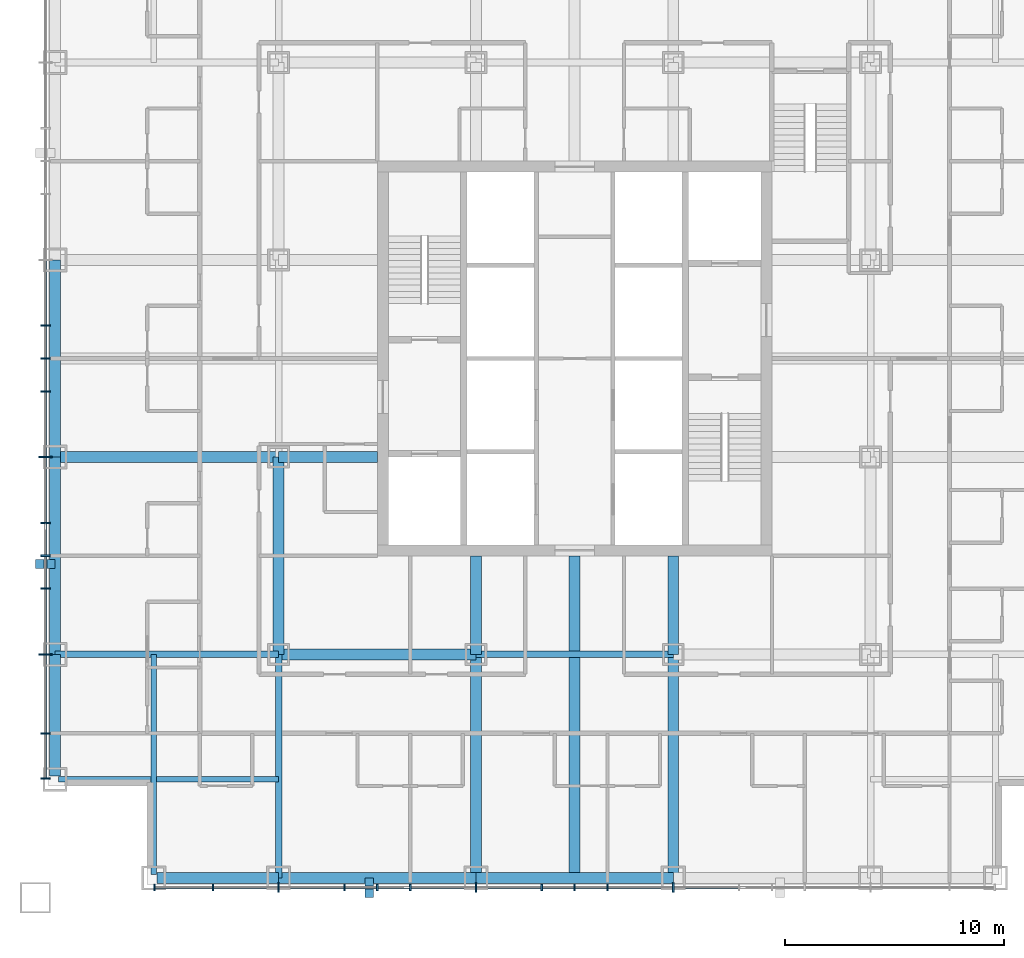
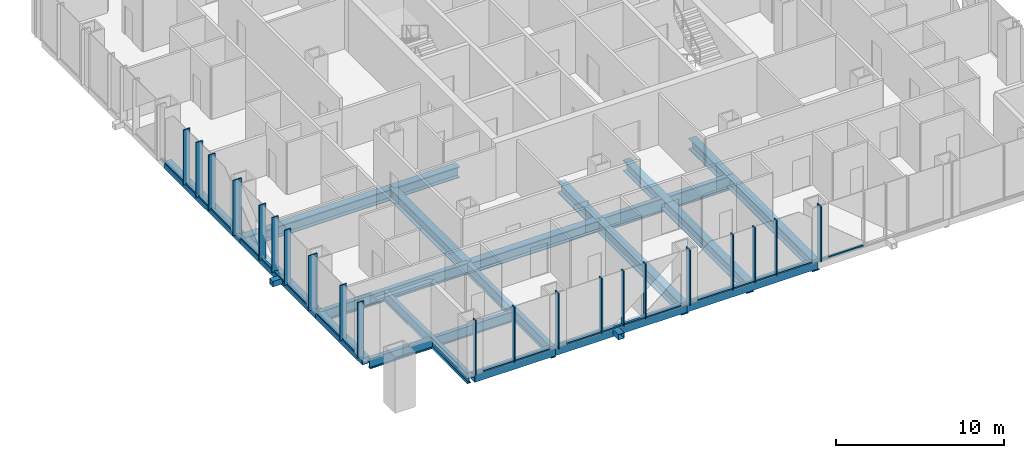
# One storey, part 2 of 18: 44 members, 20 beams, 2 elements without a shape of their own.
"""IFC4 building model written with IfcOpenShell, lengths in metres."""

from ifc_helpers import new_model, si_unit, direction, frame, origin, origin_2d, place, context, subcontext, project, spatial, rectangle, hollow_rectangle, i_section, extrude, material, layer, layer_set, material_profile, profile_set, type_object, element, aggregate, save


model = new_model("IFC4")

# Units and contexts
model_context = context("Model", 3, precision=1e-05, world=origin(), true_north=direction((0.0, 1.0)))
body_context = subcontext(model_context, "Body", "Model", "MODEL_VIEW")
ifc_project = project(units=[si_unit("LENGTHUNIT", "METRE"), si_unit("AREAUNIT", "SQUARE_METRE"), si_unit("VOLUMEUNIT", "CUBIC_METRE"), si_unit("PLANEANGLEUNIT", "RADIAN"), si_unit("MASSUNIT", "GRAM", prefix="KILO")], contexts=[model_context])

# Site, building, storey
site_placement = place(None, origin())
site = spatial("IfcSite", under=ifc_project, at=site_placement, CompositionType="ELEMENT")
building_placement = place(site_placement, origin())
building = spatial("IfcBuilding", under=site, at=building_placement, Name="Malebo Sky Hospital", CompositionType="ELEMENT")
storey_placement = place(building_placement, frame((0.0, 0.0, 112.0)))
storey = spatial("IfcBuildingStorey", under=building, at=storey_placement, Name="L26", CompositionType="ELEMENT", Elevation=112.0)

# Curtain wall, members
ifc_material_1 = material(Name="Anodised aluminium, natural silver", Category="aluminium")
ifc_layer_1 = layer(ifc_material_1, 0.25)
ifc_layer_set_1 = layer_set([ifc_layer_1], Name="WARD CURTAIN WALL EAST AND WEST")
curtain_wall_type_1 = type_object("IfcCurtainWallType", Name="WARD CURTAIN WALL EAST AND WEST", PredefinedType="NOTDEFINED", material=ifc_layer_set_1)
curtain_wall_1_placement = place(storey_placement, origin())
curtain_wall_1 = element("IfcCurtainWall", 1, at=curtain_wall_1_placement, inside=storey, type_object=curtain_wall_type_1, Name="EW curtain wall W", PredefinedType="NOTDEFINED")
ifc_material_profile_1 = material_profile(ifc_material_1, rectangle(XDim=0.14990234375, YDim=0.10009765625, at=origin_2d()), Name="ALUMINIUM TRANSOM 150x100")
ifc_profile_set_1 = profile_set([ifc_material_profile_1], Name="Anodised aluminium, natural silver")
member_type_1 = type_object("IfcMemberType", Name="ALUMINIUM TRANSOM 150x100", PredefinedType="USERDEFINED", material=ifc_profile_set_1)
member_1_placement = place(storey_placement, frame((35.864990234375, 42.875, 0.050048828125), z_axis=(0.0, 1.0, 0.0), x_axis=(-1.0, 0.0, 0.0)))
member_1 = element("IfcMember", 2, at=member_1_placement, type_object=member_type_1, Name="Transom 1", ObjectType="TRANSOM", PredefinedType="USERDEFINED", context=body_context, shape_type="SweptSolid", body=[
    extrude(rectangle(XDim=0.14990234375, YDim=0.10009765625, at=origin_2d()), origin(), (0.0, 0.0, 1.0), 1.987548828125),
])
member_2_placement = place(storey_placement, frame((35.864990234375, 44.9375, 0.050048828125), z_axis=(0.0, 1.0, 0.0), x_axis=(-1.0, 0.0, 0.0)))
member_2 = element("IfcMember", 3, at=member_2_placement, type_object=member_type_1, Name="Transom 2", ObjectType="TRANSOM", PredefinedType="USERDEFINED", context=body_context, shape_type="SweptSolid", body=[
    extrude(rectangle(XDim=0.14990234375, YDim=0.10009765625, at=origin_2d()), origin(), (0.0, 0.0, 1.0), 3.52490234375),
])
member_3_placement = place(storey_placement, frame((35.864990234375, 48.53759765625, 0.050048828125), z_axis=(0.0, 1.0, 0.0), x_axis=(-1.0, 0.0, 0.0)))
member_3 = element("IfcMember", 4, at=member_3_placement, type_object=member_type_1, Name="Transom 3", ObjectType="TRANSOM", PredefinedType="USERDEFINED", context=body_context, shape_type="SweptSolid", body=[
    extrude(rectangle(XDim=0.14990234375, YDim=0.10009765625, at=origin_2d()), origin(), (0.0, 0.0, 1.0), 2.9248046875),
])
member_4_placement = place(storey_placement, frame((35.864990234375, 51.53759765625, 0.050048828125), z_axis=(0.0, 1.0, 0.0), x_axis=(-1.0, 0.0, 0.0)))
member_4 = element("IfcMember", 5, at=member_4_placement, type_object=member_type_1, Name="Transom 4", ObjectType="TRANSOM", PredefinedType="USERDEFINED", context=body_context, shape_type="SweptSolid", body=[
    extrude(rectangle(XDim=0.14990234375, YDim=0.10009765625, at=origin_2d()), origin(), (0.0, 0.0, 1.0), 1.4248046875),
])
member_5_placement = place(storey_placement, frame((35.864990234375, 53.03759765625, 0.050048828125), z_axis=(0.0, 1.0, 0.0), x_axis=(-1.0, 0.0, 0.0)))
member_5 = element("IfcMember", 6, at=member_5_placement, type_object=member_type_1, Name="Transom 5", ObjectType="TRANSOM", PredefinedType="USERDEFINED", context=body_context, shape_type="SweptSolid", body=[
    extrude(rectangle(XDim=0.14990234375, YDim=0.10009765625, at=origin_2d()), origin(), (0.0, 0.0, 1.0), 1.4248046875),
])
member_6_placement = place(storey_placement, frame((35.864990234375, 54.53759765625, 0.050048828125), z_axis=(0.0, 1.0, 0.0), x_axis=(-1.0, 0.0, 0.0)))
member_6 = element("IfcMember", 7, at=member_6_placement, type_object=member_type_1, Name="Transom 6", ObjectType="TRANSOM", PredefinedType="USERDEFINED", context=body_context, shape_type="SweptSolid", body=[
    extrude(rectangle(XDim=0.14990234375, YDim=0.10009765625, at=origin_2d()), origin(), (0.0, 0.0, 1.0), 2.9248046875),
])
member_7_placement = place(storey_placement, frame((35.864990234375, 57.53759765625, 0.050048828125), z_axis=(0.0, 1.0, 0.0), x_axis=(-1.0, 0.0, 0.0)))
member_7 = element("IfcMember", 8, at=member_7_placement, type_object=member_type_1, Name="Transom 7", ObjectType="TRANSOM", PredefinedType="USERDEFINED", context=body_context, shape_type="SweptSolid", body=[
    extrude(rectangle(XDim=0.14990234375, YDim=0.10009765625, at=origin_2d()), origin(), (0.0, 0.0, 1.0), 2.9248046875),
])
member_8_placement = place(storey_placement, frame((35.864990234375, 60.53759765625, 0.050048828125), z_axis=(0.0, 1.0, 0.0), x_axis=(-1.0, 0.0, 0.0)))
member_8 = element("IfcMember", 9, at=member_8_placement, type_object=member_type_1, Name="Transom 8", ObjectType="TRANSOM", PredefinedType="USERDEFINED", context=body_context, shape_type="SweptSolid", body=[
    extrude(rectangle(XDim=0.14990234375, YDim=0.10009765625, at=origin_2d()), origin(), (0.0, 0.0, 1.0), 1.4248046875),
])
member_9_placement = place(storey_placement, frame((35.864990234375, 62.03759765625, 0.050048828125), z_axis=(0.0, 1.0, 0.0), x_axis=(-1.0, 0.0, 0.0)))
member_9 = element("IfcMember", 10, at=member_9_placement, type_object=member_type_1, Name="Transom 9", ObjectType="TRANSOM", PredefinedType="USERDEFINED", context=body_context, shape_type="SweptSolid", body=[
    extrude(rectangle(XDim=0.14990234375, YDim=0.10009765625, at=origin_2d()), origin(), (0.0, 0.0, 1.0), 1.4248046875),
])
member_10_placement = place(storey_placement, frame((35.864990234375, 63.53759765625, 0.050048828125), z_axis=(0.0, 1.0, 0.0), x_axis=(-1.0, 0.0, 0.0)))
member_10 = element("IfcMember", 11, at=member_10_placement, type_object=member_type_1, Name="Transom 10", ObjectType="TRANSOM", PredefinedType="USERDEFINED", context=body_context, shape_type="SweptSolid", body=[
    extrude(rectangle(XDim=0.14990234375, YDim=0.10009765625, at=origin_2d()), origin(), (0.0, 0.0, 1.0), 2.9248046875),
])

ifc_layer_2 = layer(ifc_material_1, 0.25)
ifc_layer_set_2 = layer_set([ifc_layer_2], Name="WARD CURTAIN WALL NORTH AND SOUTH")
curtain_wall_type_2 = type_object("IfcCurtainWallType", Name="WARD CURTAIN WALL NORTH AND SOUTH", PredefinedType="NOTDEFINED", material=ifc_layer_set_2)
curtain_wall_2_placement = place(storey_placement, origin())
curtain_wall_2 = element("IfcCurtainWall", 12, at=curtain_wall_2_placement, inside=storey, type_object=curtain_wall_type_2, Name="NS curtain wall S", PredefinedType="NOTDEFINED")
member_11_placement = place(storey_placement, frame((67.46240234375, 37.864990234375, 0.050048828125), z_axis=(-1.0, 0.0, 0.0), x_axis=(0.0, -1.0, 0.0)))
member_11 = element("IfcMember", 13, at=member_11_placement, type_object=member_type_1, Name="Transom 6", ObjectType="TRANSOM", PredefinedType="USERDEFINED", context=body_context, shape_type="SweptSolid", body=[
    extrude(rectangle(XDim=0.14990234375, YDim=0.10009765625, at=origin_2d()), origin(), (0.0, 0.0, 1.0), 2.9248046875),
])
member_12_placement = place(storey_placement, frame((64.46240234375, 37.864990234375, 0.050048828125), z_axis=(-1.0, 0.0, 0.0), x_axis=(0.0, -1.0, 0.0)))
member_12 = element("IfcMember", 14, at=member_12_placement, type_object=member_type_1, Name="Transom 7", ObjectType="TRANSOM", PredefinedType="USERDEFINED", context=body_context, shape_type="SweptSolid", body=[
    extrude(rectangle(XDim=0.14990234375, YDim=0.10009765625, at=origin_2d()), origin(), (0.0, 0.0, 1.0), 2.9248046875),
])
member_13_placement = place(storey_placement, frame((61.46240234375, 37.864990234375, 0.050048828125), z_axis=(-1.0, 0.0, 0.0), x_axis=(0.0, -1.0, 0.0)))
member_13 = element("IfcMember", 15, at=member_13_placement, type_object=member_type_1, Name="Transom 8", ObjectType="TRANSOM", PredefinedType="USERDEFINED", context=body_context, shape_type="SweptSolid", body=[
    extrude(rectangle(XDim=0.14990234375, YDim=0.10009765625, at=origin_2d()), origin(), (0.0, 0.0, 1.0), 1.4248046875),
])
member_14_placement = place(storey_placement, frame((59.96240234375, 37.864990234375, 0.050048828125), z_axis=(-1.0, 0.0, 0.0), x_axis=(0.0, -1.0, 0.0)))
member_14 = element("IfcMember", 16, at=member_14_placement, type_object=member_type_1, Name="Transom 9", ObjectType="TRANSOM", PredefinedType="USERDEFINED", context=body_context, shape_type="SweptSolid", body=[
    extrude(rectangle(XDim=0.14990234375, YDim=0.10009765625, at=origin_2d()), origin(), (0.0, 0.0, 1.0), 1.4248046875),
])
member_15_placement = place(storey_placement, frame((58.46240234375, 37.864990234375, 0.050048828125), z_axis=(-1.0, 0.0, 0.0), x_axis=(0.0, -1.0, 0.0)))
member_15 = element("IfcMember", 17, at=member_15_placement, type_object=member_type_1, Name="Transom 10", ObjectType="TRANSOM", PredefinedType="USERDEFINED", context=body_context, shape_type="SweptSolid", body=[
    extrude(rectangle(XDim=0.14990234375, YDim=0.10009765625, at=origin_2d()), origin(), (0.0, 0.0, 1.0), 2.9248046875),
])
member_16_placement = place(storey_placement, frame((55.46240234375, 37.864990234375, 0.050048828125), z_axis=(-1.0, 0.0, 0.0), x_axis=(0.0, -1.0, 0.0)))
member_16 = element("IfcMember", 18, at=member_16_placement, type_object=member_type_1, Name="Transom 11", ObjectType="TRANSOM", PredefinedType="USERDEFINED", context=body_context, shape_type="SweptSolid", body=[
    extrude(rectangle(XDim=0.14990234375, YDim=0.10009765625, at=origin_2d()), origin(), (0.0, 0.0, 1.0), 2.9248046875),
])
member_17_placement = place(storey_placement, frame((52.46240234375, 37.864990234375, 0.050048828125), z_axis=(-1.0, 0.0, 0.0), x_axis=(0.0, -1.0, 0.0)))
member_17 = element("IfcMember", 19, at=member_17_placement, type_object=member_type_1, Name="Transom 12", ObjectType="TRANSOM", PredefinedType="USERDEFINED", context=body_context, shape_type="SweptSolid", body=[
    extrude(rectangle(XDim=0.14990234375, YDim=0.10009765625, at=origin_2d()), origin(), (0.0, 0.0, 1.0), 1.4248046875),
])
member_18_placement = place(storey_placement, frame((50.96240234375, 37.864990234375, 0.050048828125), z_axis=(-1.0, 0.0, 0.0), x_axis=(0.0, -1.0, 0.0)))
member_18 = element("IfcMember", 20, at=member_18_placement, type_object=member_type_1, Name="Transom 13", ObjectType="TRANSOM", PredefinedType="USERDEFINED", context=body_context, shape_type="SweptSolid", body=[
    extrude(rectangle(XDim=0.14990234375, YDim=0.10009765625, at=origin_2d()), origin(), (0.0, 0.0, 1.0), 1.4248046875),
])
member_19_placement = place(storey_placement, frame((49.46240234375, 37.864990234375, 0.050048828125), z_axis=(-1.0, 0.0, 0.0), x_axis=(0.0, -1.0, 0.0)))
member_19 = element("IfcMember", 21, at=member_19_placement, type_object=member_type_1, Name="Transom 14", ObjectType="TRANSOM", PredefinedType="USERDEFINED", context=body_context, shape_type="SweptSolid", body=[
    extrude(rectangle(XDim=0.14990234375, YDim=0.10009765625, at=origin_2d()), origin(), (0.0, 0.0, 1.0), 2.9248046875),
])
member_20_placement = place(storey_placement, frame((46.46240234375, 37.864990234375, 0.050048828125), z_axis=(-1.0, 0.0, 0.0), x_axis=(0.0, -1.0, 0.0)))
member_20 = element("IfcMember", 22, at=member_20_placement, type_object=member_type_1, Name="Transom 15", ObjectType="TRANSOM", PredefinedType="USERDEFINED", context=body_context, shape_type="SweptSolid", body=[
    extrude(rectangle(XDim=0.14990234375, YDim=0.10009765625, at=origin_2d()), origin(), (0.0, 0.0, 1.0), 2.9248046875),
])
member_21_placement = place(storey_placement, frame((43.46240234375, 37.864990234375, 0.050048828125), z_axis=(-1.0, 0.0, 0.0), x_axis=(0.0, -1.0, 0.0)))
member_21 = element("IfcMember", 23, at=member_21_placement, type_object=member_type_1, Name="Transom 16", ObjectType="TRANSOM", PredefinedType="USERDEFINED", context=body_context, shape_type="SweptSolid", body=[
    extrude(rectangle(XDim=0.14990234375, YDim=0.10009765625, at=origin_2d()), origin(), (0.0, 0.0, 1.0), 2.58740234375),
])

# Members
ifc_material_2 = material(Name="Steel S355", Category="steel")
ifc_material_profile_2 = material_profile(ifc_material_2, hollow_rectangle(XDim=0.39990234375, YDim=0.39990234375, WallThickness=0.02001953125, at=origin_2d()), Name="SHS 400x20")
ifc_profile_set_2 = profile_set([ifc_material_profile_2], Name="Steel S355")
member_type_2 = type_object("IfcMemberType", Name="BRACE STRUT SHS 400x20", PredefinedType="STRUT", material=ifc_profile_set_2)
for number, where, z_axis, x_axis, name in (
    (24, (50.627197265625, 37.39990234375, -0.39990234375), (0.0, 1.0, 0.0), (-1.0, 0.0, 0.0), "Brace strut BS1 L26"),
    (25, (35.39990234375, 52.627197265625, -0.39990234375), (1.0, 0.0, 0.0), (0.0, 1.0, 0.0), "Brace strut BW2 L26"),
):
    element("IfcMember", number, at=place(storey_placement, frame(where, z_axis=z_axis, x_axis=x_axis)), inside=storey, type_object=member_type_2, Name=name, PredefinedType="STRUT", context=body_context, shape_type="SweptSolid", body=[
        extrude(hollow_rectangle(XDim=0.39990234375, YDim=0.39990234375, WallThickness=0.02001953125, at=origin_2d()), origin(), (0.0, 0.0, 1.0), 0.900146484375),
    ])

# Member
ifc_material_profile_3 = material_profile(ifc_material_1, rectangle(XDim=0.074951171875, YDim=0.300048828125, at=origin_2d()), Name="CW1 ALUMINIUM FIN MULLION 75x300")
ifc_profile_set_3 = profile_set([ifc_material_profile_3], Name="Anodised aluminium, natural silver")
member_type_3 = type_object("IfcMemberType", Name="CW1 ALUMINIUM FIN MULLION 75x300", PredefinedType="MULLION", material=ifc_profile_set_3)
member_22_placement = place(storey_placement, frame((61.5, 37.864990234375, 0.0), z_axis=(0.0, 0.0, 1.0), x_axis=(-1.0, 0.0, 0.0)))
member_22 = element("IfcMember", 26, at=member_22_placement, type_object=member_type_3, Name="Fin mullion 8", PredefinedType="MULLION", context=body_context, shape_type="SweptSolid", body=[
    extrude(rectangle(XDim=0.074951171875, YDim=0.300048828125, at=origin_2d()), origin(), (0.0, 0.0, 1.0), 4.0),
])

member_23_placement = place(storey_placement, frame((60.0, 37.864990234375, 0.0), z_axis=(0.0, 0.0, 1.0), x_axis=(-1.0, 0.0, 0.0)))
member_23 = element("IfcMember", 27, at=member_23_placement, type_object=member_type_3, Name="Fin mullion 9", PredefinedType="MULLION", context=body_context, shape_type="SweptSolid", body=[
    extrude(rectangle(XDim=0.074951171875, YDim=0.300048828125, at=origin_2d()), origin(), (0.0, 0.0, 1.0), 4.0),
])

member_24_placement = place(storey_placement, frame((58.5, 37.864990234375, 0.0), z_axis=(0.0, 0.0, 1.0), x_axis=(-1.0, 0.0, 0.0)))
member_24 = element("IfcMember", 28, at=member_24_placement, type_object=member_type_3, Name="Fin mullion 10", PredefinedType="MULLION", context=body_context, shape_type="SweptSolid", body=[
    extrude(rectangle(XDim=0.074951171875, YDim=0.300048828125, at=origin_2d()), origin(), (0.0, 0.0, 1.0), 4.0),
])

member_25_placement = place(storey_placement, frame((52.5, 37.864990234375, 0.0), z_axis=(0.0, 0.0, 1.0), x_axis=(-1.0, 0.0, 0.0)))
member_25 = element("IfcMember", 29, at=member_25_placement, type_object=member_type_3, Name="Fin mullion 12", PredefinedType="MULLION", context=body_context, shape_type="SweptSolid", body=[
    extrude(rectangle(XDim=0.074951171875, YDim=0.300048828125, at=origin_2d()), origin(), (0.0, 0.0, 1.0), 4.0),
])

member_26_placement = place(storey_placement, frame((51.0, 37.864990234375, 0.0), z_axis=(0.0, 0.0, 1.0), x_axis=(-1.0, 0.0, 0.0)))
member_26 = element("IfcMember", 30, at=member_26_placement, type_object=member_type_3, Name="Fin mullion 13", PredefinedType="MULLION", context=body_context, shape_type="SweptSolid", body=[
    extrude(rectangle(XDim=0.074951171875, YDim=0.300048828125, at=origin_2d()), origin(), (0.0, 0.0, 1.0), 4.0),
])

member_27_placement = place(storey_placement, frame((49.5, 37.864990234375, 0.0), z_axis=(0.0, 0.0, 1.0), x_axis=(-1.0, 0.0, 0.0)))
member_27 = element("IfcMember", 31, at=member_27_placement, type_object=member_type_3, Name="Fin mullion 14", PredefinedType="MULLION", context=body_context, shape_type="SweptSolid", body=[
    extrude(rectangle(XDim=0.074951171875, YDim=0.300048828125, at=origin_2d()), origin(), (0.0, 0.0, 1.0), 4.0),
])

member_28_placement = place(storey_placement, frame((43.5, 37.864990234375, 0.0), z_axis=(0.0, 0.0, 1.0), x_axis=(-1.0, 0.0, 0.0)))
member_28 = element("IfcMember", 32, at=member_28_placement, type_object=member_type_3, Name="Fin mullion 16", PredefinedType="MULLION", context=body_context, shape_type="SweptSolid", body=[
    extrude(rectangle(XDim=0.074951171875, YDim=0.300048828125, at=origin_2d()), origin(), (0.0, 0.0, 1.0), 4.0),
])

member_29_placement = place(storey_placement, frame((40.83740234375, 37.864990234375, 0.0), z_axis=(0.0, 0.0, 1.0), x_axis=(-1.0, 0.0, 0.0)))
member_29 = element("IfcMember", 33, at=member_29_placement, type_object=member_type_3, Name="Fin mullion 17", PredefinedType="MULLION", context=body_context, shape_type="SweptSolid", body=[
    extrude(rectangle(XDim=0.074951171875, YDim=0.300048828125, at=origin_2d()), origin(), (0.0, 0.0, 1.0), 4.0),
])

ifc_material_profile_4 = material_profile(ifc_material_1, rectangle(XDim=0.074951171875, YDim=0.449951171875, at=origin_2d()), Name="CW1 ALUMINIUM FIN MULLION 75x450")
ifc_profile_set_4 = profile_set([ifc_material_profile_4], Name="Anodised aluminium, natural silver")
member_type_4 = type_object("IfcMemberType", Name="CW1 ALUMINIUM FIN MULLION 75x450", PredefinedType="MULLION", material=ifc_profile_set_4)
member_30_placement = place(storey_placement, frame((64.5, 37.864990234375, 0.0), z_axis=(0.0, 0.0, 1.0), x_axis=(-1.0, 0.0, 0.0)))
member_30 = element("IfcMember", 34, at=member_30_placement, type_object=member_type_4, Name="Fin mullion 7", PredefinedType="MULLION", context=body_context, shape_type="SweptSolid", body=[
    extrude(rectangle(XDim=0.074951171875, YDim=0.449951171875, at=origin_2d()), origin(), (0.0, 0.0, 1.0), 4.0),
])

member_31_placement = place(storey_placement, frame((55.5, 37.864990234375, 0.0), z_axis=(0.0, 0.0, 1.0), x_axis=(-1.0, 0.0, 0.0)))
member_31 = element("IfcMember", 35, at=member_31_placement, type_object=member_type_4, Name="Fin mullion 11", PredefinedType="MULLION", context=body_context, shape_type="SweptSolid", body=[
    extrude(rectangle(XDim=0.074951171875, YDim=0.449951171875, at=origin_2d()), origin(), (0.0, 0.0, 1.0), 4.0),
])

member_32_placement = place(storey_placement, frame((46.5, 37.864990234375, 0.0), z_axis=(0.0, 0.0, 1.0), x_axis=(-1.0, 0.0, 0.0)))
member_32 = element("IfcMember", 36, at=member_32_placement, type_object=member_type_4, Name="Fin mullion 15", PredefinedType="MULLION", context=body_context, shape_type="SweptSolid", body=[
    extrude(rectangle(XDim=0.074951171875, YDim=0.449951171875, at=origin_2d()), origin(), (0.0, 0.0, 1.0), 4.0),
])

aggregate(curtain_wall_2, [member_30, member_22, member_23, member_24, member_31, member_25, member_26, member_27, member_32, member_28, member_29, member_11, member_12, member_13, member_14, member_15, member_16, member_17, member_18, member_19, member_20, member_21])

ifc_material_profile_5 = material_profile(ifc_material_1, rectangle(XDim=0.074951171875, YDim=0.449951171875, at=origin_2d()), Name="CW2 ALUMINIUM FIN MULLION 75x450")
ifc_profile_set_5 = profile_set([ifc_material_profile_5], Name="Anodised aluminium, natural silver")
member_type_5 = type_object("IfcMemberType", Name="CW2 ALUMINIUM FIN MULLION 75x450", PredefinedType="MULLION", material=ifc_profile_set_5)
member_33_placement = place(storey_placement, frame((35.864990234375, 42.83740234375, 0.0), z_axis=(0.0, 0.0, 1.0), x_axis=(0.0, 1.0, 0.0)))
member_33 = element("IfcMember", 37, at=member_33_placement, type_object=member_type_5, Name="Fin mullion 1", PredefinedType="MULLION", context=body_context, shape_type="SweptSolid", body=[
    extrude(rectangle(XDim=0.074951171875, YDim=0.449951171875, at=origin_2d()), origin(), (0.0, 0.0, 1.0), 4.0),
])

member_34_placement = place(storey_placement, frame((35.864990234375, 44.89990234375, 0.0), z_axis=(0.0, 0.0, 1.0), x_axis=(0.0, 1.0, 0.0)))
member_34 = element("IfcMember", 38, at=member_34_placement, type_object=member_type_5, Name="Fin mullion 2", PredefinedType="MULLION", context=body_context, shape_type="SweptSolid", body=[
    extrude(rectangle(XDim=0.074951171875, YDim=0.449951171875, at=origin_2d()), origin(), (0.0, 0.0, 1.0), 4.0),
])

member_35_placement = place(storey_placement, frame((35.864990234375, 51.5, 0.0), z_axis=(0.0, 0.0, 1.0), x_axis=(0.0, 1.0, 0.0)))
member_35 = element("IfcMember", 39, at=member_35_placement, type_object=member_type_5, Name="Fin mullion 4", PredefinedType="MULLION", context=body_context, shape_type="SweptSolid", body=[
    extrude(rectangle(XDim=0.074951171875, YDim=0.449951171875, at=origin_2d()), origin(), (0.0, 0.0, 1.0), 4.0),
])

member_36_placement = place(storey_placement, frame((35.864990234375, 53.0, 0.0), z_axis=(0.0, 0.0, 1.0), x_axis=(0.0, 1.0, 0.0)))
member_36 = element("IfcMember", 40, at=member_36_placement, type_object=member_type_5, Name="Fin mullion 5", PredefinedType="MULLION", context=body_context, shape_type="SweptSolid", body=[
    extrude(rectangle(XDim=0.074951171875, YDim=0.449951171875, at=origin_2d()), origin(), (0.0, 0.0, 1.0), 4.0),
])

member_37_placement = place(storey_placement, frame((35.864990234375, 54.5, 0.0), z_axis=(0.0, 0.0, 1.0), x_axis=(0.0, 1.0, 0.0)))
member_37 = element("IfcMember", 41, at=member_37_placement, type_object=member_type_5, Name="Fin mullion 6", PredefinedType="MULLION", context=body_context, shape_type="SweptSolid", body=[
    extrude(rectangle(XDim=0.074951171875, YDim=0.449951171875, at=origin_2d()), origin(), (0.0, 0.0, 1.0), 4.0),
])

member_38_placement = place(storey_placement, frame((35.864990234375, 60.5, 0.0), z_axis=(0.0, 0.0, 1.0), x_axis=(0.0, 1.0, 0.0)))
member_38 = element("IfcMember", 42, at=member_38_placement, type_object=member_type_5, Name="Fin mullion 8", PredefinedType="MULLION", context=body_context, shape_type="SweptSolid", body=[
    extrude(rectangle(XDim=0.074951171875, YDim=0.449951171875, at=origin_2d()), origin(), (0.0, 0.0, 1.0), 4.0),
])

member_39_placement = place(storey_placement, frame((35.864990234375, 62.0, 0.0), z_axis=(0.0, 0.0, 1.0), x_axis=(0.0, 1.0, 0.0)))
member_39 = element("IfcMember", 43, at=member_39_placement, type_object=member_type_5, Name="Fin mullion 9", PredefinedType="MULLION", context=body_context, shape_type="SweptSolid", body=[
    extrude(rectangle(XDim=0.074951171875, YDim=0.449951171875, at=origin_2d()), origin(), (0.0, 0.0, 1.0), 4.0),
])

member_40_placement = place(storey_placement, frame((35.864990234375, 63.5, 0.0), z_axis=(0.0, 0.0, 1.0), x_axis=(0.0, 1.0, 0.0)))
member_40 = element("IfcMember", 44, at=member_40_placement, type_object=member_type_5, Name="Fin mullion 10", PredefinedType="MULLION", context=body_context, shape_type="SweptSolid", body=[
    extrude(rectangle(XDim=0.074951171875, YDim=0.449951171875, at=origin_2d()), origin(), (0.0, 0.0, 1.0), 4.0),
])

ifc_material_profile_6 = material_profile(ifc_material_1, rectangle(XDim=0.074951171875, YDim=0.60009765625, at=origin_2d()), Name="CW2 ALUMINIUM FIN MULLION 75x600")
ifc_profile_set_6 = profile_set([ifc_material_profile_6], Name="Anodised aluminium, natural silver")
member_type_6 = type_object("IfcMemberType", Name="CW2 ALUMINIUM FIN MULLION 75x600", PredefinedType="MULLION", material=ifc_profile_set_6)
member_41_placement = place(storey_placement, frame((35.864990234375, 48.5, 0.0), z_axis=(0.0, 0.0, 1.0), x_axis=(0.0, 1.0, 0.0)))
member_41 = element("IfcMember", 45, at=member_41_placement, type_object=member_type_6, Name="Fin mullion 3", PredefinedType="MULLION", context=body_context, shape_type="SweptSolid", body=[
    extrude(rectangle(XDim=0.074951171875, YDim=0.60009765625, at=origin_2d()), origin(), (0.0, 0.0, 1.0), 4.0),
])

member_42_placement = place(storey_placement, frame((35.864990234375, 57.5, 0.0), z_axis=(0.0, 0.0, 1.0), x_axis=(0.0, 1.0, 0.0)))
member_42 = element("IfcMember", 46, at=member_42_placement, type_object=member_type_6, Name="Fin mullion 7", PredefinedType="MULLION", context=body_context, shape_type="SweptSolid", body=[
    extrude(rectangle(XDim=0.074951171875, YDim=0.60009765625, at=origin_2d()), origin(), (0.0, 0.0, 1.0), 4.0),
])

aggregate(curtain_wall_1, [member_33, member_34, member_41, member_35, member_36, member_37, member_42, member_38, member_39, member_40, member_1, member_2, member_3, member_4, member_5, member_6, member_7, member_8, member_9, member_10])

# Beams
ifc_material_3 = material(Name="Steel S460", Category="steel")
ifc_material_profile_7 = material_profile(ifc_material_3, hollow_rectangle(XDim=0.5, YDim=0.5, WallThickness=0.030029296875, at=origin_2d()), Name="BOX 500x500x30")
ifc_profile_set_7 = profile_set([ifc_material_profile_7], Name="Steel S460")
beam_type_1 = type_object("IfcBeamType", Name="EDGE BEAM BOX 500x500x30", PredefinedType="BEAM", material=ifc_profile_set_7)
beam_1_placement = place(storey_placement, frame((36.300048828125, 42.949951171875, -0.5), z_axis=(0.0, 1.0, 0.0), x_axis=(-1.0, 0.0, 0.0)))
element("IfcBeam", 47, at=beam_1_placement, inside=storey, type_object=beam_type_1, Name="Beam 000 L26", PredefinedType="BEAM", context=body_context, shape_type="SweptSolid", body=[
    extrude(hollow_rectangle(XDim=0.5, YDim=0.5, WallThickness=0.030029296875, at=origin_2d()), origin(), (0.0, 0.0, 1.0), 5.550048828125),
])
for number, where, z_axis, x_axis, name in (
    (48, (36.300048828125, 48.5, -0.5), (0.0, 1.0, 0.0), (-1.0, 0.0, 0.0), "Beam 001 L26"),
    (49, (36.300048828125, 57.5, -0.5), (0.0, 1.0, 0.0), (-1.0, 0.0, 0.0), "Beam 002 L26"),
):
    element("IfcBeam", number, at=place(storey_placement, frame(where, z_axis=z_axis, x_axis=x_axis)), inside=storey, type_object=beam_type_1, Name=name, PredefinedType="BEAM", context=body_context, shape_type="SweptSolid", body=[
        extrude(hollow_rectangle(XDim=0.5, YDim=0.5, WallThickness=0.030029296875, at=origin_2d()), origin(), (0.0, 0.0, 1.0), 9.0),
    ])
beam_2_placement = place(storey_placement, frame((40.949951171875, 38.300048828125, -0.5), z_axis=(1.0, 0.0, 0.0), x_axis=(0.0, 1.0, 0.0)))
element("IfcBeam", 50, at=beam_2_placement, inside=storey, type_object=beam_type_1, Name="Beam 034 L26", PredefinedType="BEAM", context=body_context, shape_type="SweptSolid", body=[
    extrude(hollow_rectangle(XDim=0.5, YDim=0.5, WallThickness=0.030029296875, at=origin_2d()), origin(), (0.0, 0.0, 1.0), 5.550048828125),
])
for number, where, z_axis, x_axis, name in (
    (51, (46.5, 38.300048828125, -0.5), (1.0, 0.0, 0.0), (0.0, 1.0, 0.0), "Beam 035 L26"),
    (52, (55.5, 38.300048828125, -0.5), (1.0, 0.0, 0.0), (0.0, 1.0, 0.0), "Beam 036 L26"),
):
    element("IfcBeam", number, at=place(storey_placement, frame(where, z_axis=z_axis, x_axis=x_axis)), inside=storey, type_object=beam_type_1, Name=name, PredefinedType="BEAM", context=body_context, shape_type="SweptSolid", body=[
        extrude(hollow_rectangle(XDim=0.5, YDim=0.5, WallThickness=0.030029296875, at=origin_2d()), origin(), (0.0, 0.0, 1.0), 9.0),
    ])
ifc_material_profile_8 = material_profile(ifc_material_2, i_section(OverallWidth=0.262939453125, OverallDepth=0.7529296875, WebThickness=0.011474609375, FlangeThickness=0.01708984375, FilletRadius=0.01708984375, at=origin_2d()), Name="IPE 750x137")
ifc_profile_set_8 = profile_set([ifc_material_profile_8], Name="Steel S355")
beam_type_2 = type_object("IfcBeamType", Name="FLOOR BEAM IPE 750x137", PredefinedType="BEAM", material=ifc_profile_set_8)
for number, where, z_axis, x_axis, name in (
    (53, (40.800048828125, 38.449951171875, -0.62646484375), (0.0, 1.0, 0.0), (-1.0, 0.0, 0.0), "Beam 005 L26"),
    (54, (36.449951171875, 42.800048828125, -0.62646484375), (1.0, 0.0, 0.0), (0.0, 1.0, 0.0), "Beam 039 L26"),
):
    element("IfcBeam", number, at=place(storey_placement, frame(where, z_axis=z_axis, x_axis=x_axis)), inside=storey, type_object=beam_type_2, Name=name, PredefinedType="BEAM", context=body_context, shape_type="SweptSolid", body=[
        extrude(i_section(OverallWidth=0.262939453125, OverallDepth=0.7529296875, WebThickness=0.011474609375, FlangeThickness=0.01708984375, FilletRadius=0.01708984375, at=origin_2d()), origin(), (0.0, 0.0, 1.0), 10.050048828125),
    ])
ifc_material_profile_9 = material_profile(ifc_material_2, i_section(OverallWidth=0.5, OverallDepth=0.800048828125, WebThickness=0.030029296875, FlangeThickness=0.050048828125, at=origin_2d()), Name="PG 800x500x30x50")
ifc_profile_set_9 = profile_set([ifc_material_profile_9], Name="Steel S355")
beam_type_3 = type_object("IfcBeamType", Name="FLOOR BEAM PG 800x500x30x50", PredefinedType="BEAM", material=ifc_profile_set_9)
beam_3_placement = place(storey_placement, frame((46.5, 48.5, -0.64990234375), z_axis=(0.0, 1.0, 0.0), x_axis=(-1.0, 0.0, 0.0)))
element("IfcBeam", 55, at=beam_3_placement, inside=storey, type_object=beam_type_3, Name="Beam 008 L26", PredefinedType="BEAM", context=body_context, shape_type="SweptSolid", body=[
    extrude(i_section(OverallWidth=0.5, OverallDepth=0.800048828125, WebThickness=0.030029296875, FlangeThickness=0.050048828125, at=origin_2d()), origin(), (0.0, 0.0, 1.0), 9.0),
])
beam_4_placement = place(storey_placement, frame((55.5, 38.300048828125, -0.64990234375), z_axis=(0.0, 1.0, 0.0), x_axis=(-1.0, 0.0, 0.0)))
element("IfcBeam", 56, at=beam_4_placement, inside=storey, type_object=beam_type_3, Name="Beam 012 L26", PredefinedType="BEAM", context=body_context, shape_type="SweptSolid", body=[
    extrude(i_section(OverallWidth=0.5, OverallDepth=0.800048828125, WebThickness=0.030029296875, FlangeThickness=0.050048828125, at=origin_2d()), origin(), (0.0, 0.0, 1.0), 10.199951171875),
])
beam_5_placement = place(storey_placement, frame((55.5, 48.5, -0.64990234375), z_axis=(0.0, 1.0, 0.0), x_axis=(-1.0, 0.0, 0.0)))
element("IfcBeam", 57, at=beam_5_placement, inside=storey, type_object=beam_type_3, Name="Beam 013 L26", PredefinedType="BEAM", context=body_context, shape_type="SweptSolid", body=[
    extrude(i_section(OverallWidth=0.5, OverallDepth=0.800048828125, WebThickness=0.030029296875, FlangeThickness=0.050048828125, at=origin_2d()), origin(), (0.0, 0.0, 1.0), 4.5),
])
beam_6_placement = place(storey_placement, frame((60.0, 38.300048828125, -0.64990234375), z_axis=(0.0, 1.0, 0.0), x_axis=(-1.0, 0.0, 0.0)))
element("IfcBeam", 58, at=beam_6_placement, inside=storey, type_object=beam_type_3, Name="Beam 016 L26", PredefinedType="BEAM", context=body_context, shape_type="SweptSolid", body=[
    extrude(i_section(OverallWidth=0.5, OverallDepth=0.800048828125, WebThickness=0.030029296875, FlangeThickness=0.050048828125, at=origin_2d()), origin(), (0.0, 0.0, 1.0), 14.699951171875),
])
beam_7_placement = place(storey_placement, frame((64.5, 38.300048828125, -0.64990234375), z_axis=(0.0, 1.0, 0.0), x_axis=(-1.0, 0.0, 0.0)))
element("IfcBeam", 59, at=beam_7_placement, inside=storey, type_object=beam_type_3, Name="Beam 018 L26", PredefinedType="BEAM", context=body_context, shape_type="SweptSolid", body=[
    extrude(i_section(OverallWidth=0.5, OverallDepth=0.800048828125, WebThickness=0.030029296875, FlangeThickness=0.050048828125, at=origin_2d()), origin(), (0.0, 0.0, 1.0), 10.199951171875),
])
beam_8_placement = place(storey_placement, frame((64.5, 48.5, -0.64990234375), z_axis=(0.0, 1.0, 0.0), x_axis=(-1.0, 0.0, 0.0)))
element("IfcBeam", 60, at=beam_8_placement, inside=storey, type_object=beam_type_3, Name="Beam 019 L26", PredefinedType="BEAM", context=body_context, shape_type="SweptSolid", body=[
    extrude(i_section(OverallWidth=0.5, OverallDepth=0.800048828125, WebThickness=0.030029296875, FlangeThickness=0.050048828125, at=origin_2d()), origin(), (0.0, 0.0, 1.0), 4.5),
])
beam_9_placement = place(storey_placement, frame((46.5, 48.5, -0.64990234375), z_axis=(1.0, 0.0, 0.0), x_axis=(0.0, 1.0, 0.0)))
element("IfcBeam", 61, at=beam_9_placement, inside=storey, type_object=beam_type_3, Name="Beam 042 L26", PredefinedType="BEAM", context=body_context, shape_type="SweptSolid", body=[
    extrude(i_section(OverallWidth=0.5, OverallDepth=0.800048828125, WebThickness=0.030029296875, FlangeThickness=0.050048828125, at=origin_2d()), origin(), (0.0, 0.0, 1.0), 9.0),
])
beam_10_placement = place(storey_placement, frame((36.300048828125, 57.5, -0.64990234375), z_axis=(1.0, 0.0, 0.0), x_axis=(0.0, 1.0, 0.0)))
element("IfcBeam", 62, at=beam_10_placement, inside=storey, type_object=beam_type_3, Name="Beam 046 L26", PredefinedType="BEAM", context=body_context, shape_type="SweptSolid", body=[
    extrude(i_section(OverallWidth=0.5, OverallDepth=0.800048828125, WebThickness=0.030029296875, FlangeThickness=0.050048828125, at=origin_2d()), origin(), (0.0, 0.0, 1.0), 10.199951171875),
])
beam_11_placement = place(storey_placement, frame((46.5, 57.5, -0.64990234375), z_axis=(1.0, 0.0, 0.0), x_axis=(0.0, 1.0, 0.0)))
element("IfcBeam", 63, at=beam_11_placement, inside=storey, type_object=beam_type_3, Name="Beam 047 L26", PredefinedType="BEAM", context=body_context, shape_type="SweptSolid", body=[
    extrude(i_section(OverallWidth=0.5, OverallDepth=0.800048828125, WebThickness=0.030029296875, FlangeThickness=0.050048828125, at=origin_2d()), origin(), (0.0, 0.0, 1.0), 4.5),
])
ifc_material_profile_10 = material_profile(ifc_material_2, i_section(OverallWidth=0.300048828125, OverallDepth=0.800048828125, WebThickness=0.017578125, FlangeThickness=0.032958984375, FilletRadius=0.030029296875, at=origin_2d()), Name="HEB 800")
ifc_profile_set_10 = profile_set([ifc_material_profile_10], Name="Steel S355")
beam_type_4 = type_object("IfcBeamType", Name="FLOOR GIRDER HEB 800", PredefinedType="BEAM", material=ifc_profile_set_10)
for number, where, z_axis, x_axis, name in (
    (64, (46.5, 38.300048828125, -0.64990234375), (0.0, 1.0, 0.0), (-1.0, 0.0, 0.0), "Beam 007 L26"),
    (65, (36.300048828125, 48.5, -0.64990234375), (1.0, 0.0, 0.0), (0.0, 1.0, 0.0), "Beam 041 L26"),
):
    element("IfcBeam", number, at=place(storey_placement, frame(where, z_axis=z_axis, x_axis=x_axis)), inside=storey, type_object=beam_type_4, Name=name, PredefinedType="BEAM", context=body_context, shape_type="SweptSolid", body=[
        extrude(i_section(OverallWidth=0.300048828125, OverallDepth=0.800048828125, WebThickness=0.017578125, FlangeThickness=0.032958984375, FilletRadius=0.030029296875, at=origin_2d()), origin(), (0.0, 0.0, 1.0), 10.199951171875),
    ])
ifc_material_profile_11 = material_profile(ifc_material_2, i_section(OverallWidth=0.300048828125, OverallDepth=1.0, WebThickness=0.01904296875, FlangeThickness=0.035888671875, FilletRadius=0.030029296875, at=origin_2d()), Name="HEB 1000")
ifc_profile_set_11 = profile_set([ifc_material_profile_11], Name="Steel S355")
beam_type_5 = type_object("IfcBeamType", Name="RING GIRDER HEB 1000", PredefinedType="BEAM", material=ifc_profile_set_11)
beam_12_placement = place(storey_placement, frame((55.5, 48.5, -0.75), z_axis=(1.0, 0.0, 0.0), x_axis=(0.0, 1.0, 0.0)))
element("IfcBeam", 66, at=beam_12_placement, inside=storey, type_object=beam_type_5, Name="Beam 043 L26", PredefinedType="BEAM", context=body_context, shape_type="SweptSolid", body=[
    extrude(i_section(OverallWidth=0.300048828125, OverallDepth=1.0, WebThickness=0.01904296875, FlangeThickness=0.035888671875, FilletRadius=0.030029296875, at=origin_2d()), origin(), (0.0, 0.0, 1.0), 9.0),
])

save(model, "model.ifc")
